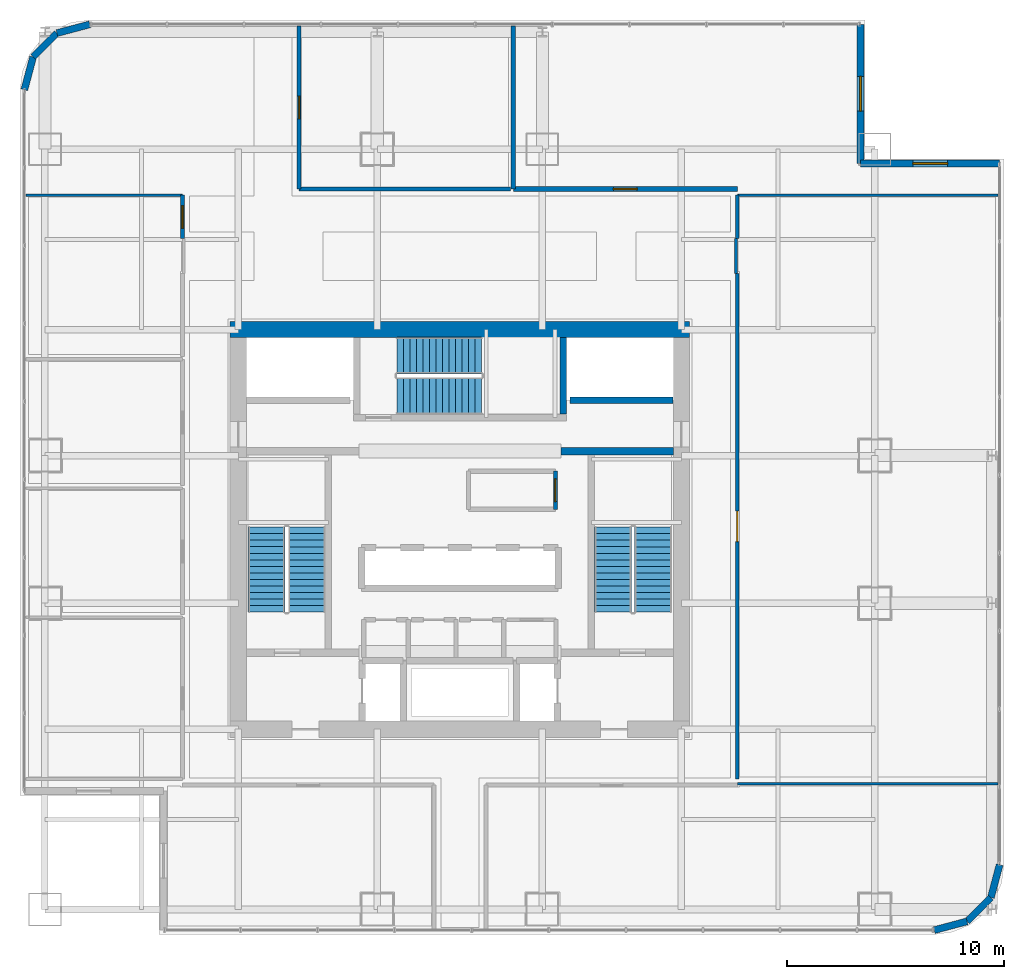
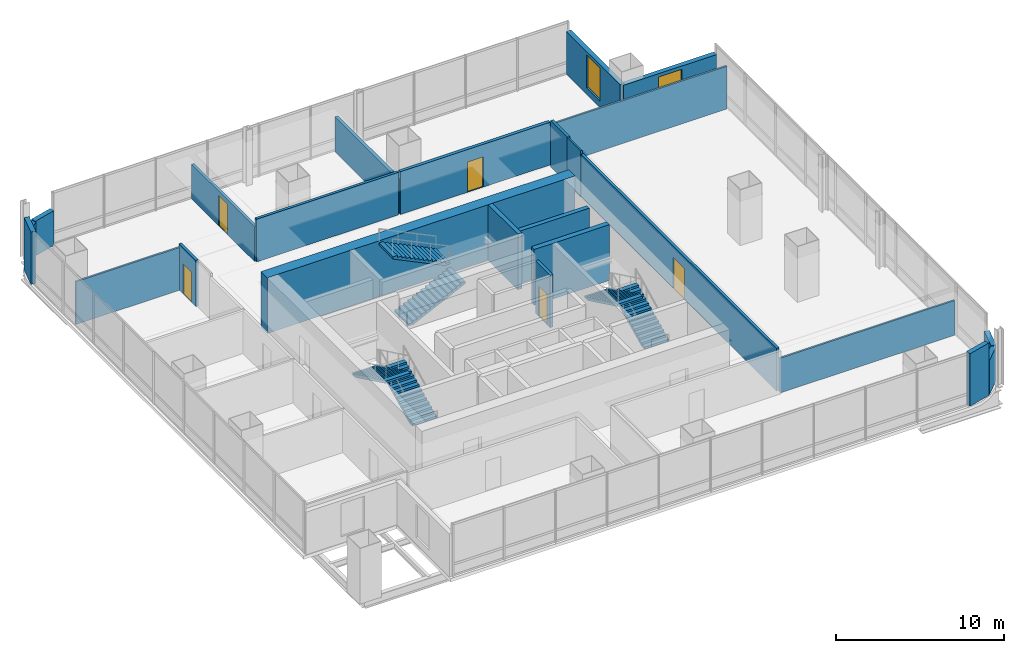
# One storey, part 29 of 34: 24 walls, 6 stair flights, 5 doors, 2 windows, 7 openings, 3 elements without a shape of their own.
"""IFC4 building model written with IfcOpenShell, lengths in metres."""

from ifc_helpers import new_model, si_unit, direction, frame, frame_2d, origin, place, context, subcontext, project, spatial, polyline, rectangle, outline, extrude, material, layer, layer_set, type_object, element, fill, aggregate, save


model = new_model("IFC4")

# Units and contexts
model_context = context("Model", 3, precision=1e-05, world=origin(), true_north=direction((0.0, 1.0)))
body_context = subcontext(model_context, "Body", "Model", "MODEL_VIEW")
ifc_project = project(units=[si_unit("LENGTHUNIT", "METRE"), si_unit("AREAUNIT", "SQUARE_METRE"), si_unit("VOLUMEUNIT", "CUBIC_METRE"), si_unit("PLANEANGLEUNIT", "RADIAN"), si_unit("MASSUNIT", "GRAM", prefix="KILO")], contexts=[model_context])

# Site, building, storey
site_placement = place(None, origin())
site = spatial("IfcSite", under=ifc_project, at=site_placement, CompositionType="ELEMENT")
building_placement = place(site_placement, origin())
building = spatial("IfcBuilding", under=site, at=building_placement, Name="Punatoya Terracotta Tower", CompositionType="ELEMENT")
storey_placement = place(building_placement, frame((0.0, 0.0, 117.300048828125)))
storey = spatial("IfcBuildingStorey", under=building, at=storey_placement, Name="L27", CompositionType="ELEMENT", Elevation=117.300048828125)

# Wall
ifc_material_1 = material(Name="Concrete C60/75", Category="concrete")
ifc_layer_1 = layer(ifc_material_1, 0.75)
ifc_layer_set_1 = layer_set([ifc_layer_1], Name="Concrete C60/75")
wall_type_1 = type_object("IfcWallType", Name="WL-COR-750", PredefinedType="SHEAR", material=ifc_layer_set_1)
wall_1_placement = place(storey_placement, frame((-10.574951171875, 9.199951171875, 0.0), z_axis=(0.0, 0.0, 1.0), x_axis=(1.0, 0.0, 0.0)))
element("IfcWall", 1, at=wall_1_placement, inside=storey, type_object=wall_type_1, Name="L27 Core Shear Wall N", PredefinedType="SHEAR", context=body_context, shape_type="SweptSolid", body=[
    extrude(rectangle(XDim=21.14990234375, YDim=0.75, at=frame_2d((10.574951171875, 0.0))), origin(), (0.0, 0.0, 1.0), 4.050048828125),
])

# Wall, opening, door
ifc_material_2 = material(Name="Gypsum Fireboard + Steel Stud", Category="steel")
ifc_layer_2 = layer(ifc_material_2, 0.179931640625)
ifc_layer_set_2 = layer_set([ifc_layer_2], Name="Gypsum Fireboard + Steel Stud")
wall_type_2 = type_object("IfcWallType", Name="WL-CORR-180", PredefinedType="PARTITIONING", material=ifc_layer_set_2)
wall_2_placement = place(storey_placement, frame((12.77001953125, -11.489990234375, 0.0), z_axis=(0.0, 0.0, 1.0), x_axis=(0.0, 1.0, 0.0)))
wall_2 = element("IfcWall", 2, at=wall_2_placement, inside=storey, type_object=wall_type_2, Name="L27 Technical Seminar Room Partition 24", PredefinedType="PARTITIONING", context=body_context, shape_type="SweptSolid", body=[
    extrude(rectangle(XDim=23.260009765625, YDim=0.179931640625, at=frame_2d((11.6298828125, 0.0))), origin(), (0.0, 0.0, 1.0), 3.10400390625),
])
opening_1_placement = place(wall_2_placement, frame((10.929931640625, 0.0, 0.0)))
opening_1 = element("IfcOpeningElement", 3, at=opening_1_placement, cuts=wall_2, Name="Opening BD-01", PredefinedType="OPENING", context=body_context, shape_type="SweptSolid", body=[
    extrude(rectangle(XDim=1.39990234375, YDim=2.25, at=frame_2d((0.699951171875, 1.125))), frame((0.0, 0.099853515625, 0.0), z_axis=(0.0, -1.0, 0.0), x_axis=(1.0, 0.0, 0.0)), (0.0, 0.0, 1.0), 0.199951171875),
])
ifc_material_3 = material(Name="Bengal Teak Acoustic Leaf")
door_type_1 = type_object("IfcDoorType", Name="DR-BRD-1400", OperationType="NOTDEFINED", PredefinedType="DOOR", material=ifc_material_3)
door_1_placement = place(opening_1_placement, origin())
door_1 = element("IfcDoor", 4, at=door_1_placement, inside=storey, type_object=door_type_1, Name="L27 Technical Seminar Room Door", OperationType="SINGLE_SWING_LEFT", OverallHeight=2.25, OverallWidth=1.39990234375, PredefinedType="DOOR", context=body_context, shape_type="SweptSolid", body=[
    extrude(rectangle(XDim=1.39990234375, YDim=2.25, at=frame_2d((0.699951171875, 1.125))), frame((0.0, 0.02490234375, 0.0), z_axis=(0.0, -1.0, 0.0), x_axis=(1.0, 0.0, 0.0)), (0.0, 0.0, 1.0), 0.050048828125),
])
fill(opening_1, door_1)

# Wall
wall_3_placement = place(storey_placement, frame((12.77001953125, 13.3798828125, 0.0), z_axis=(0.0, 0.0, 1.0), x_axis=(0.0, 1.0, 0.0)))
element("IfcWall", 5, at=wall_3_placement, inside=storey, type_object=wall_type_2, Name="L27 Technical Seminar Room Partition 26", PredefinedType="PARTITIONING", context=body_context, shape_type="SweptSolid", body=[
    extrude(rectangle(XDim=2.010009765625, YDim=0.179931640625, at=frame_2d((1.0048828125, 0.0))), origin(), (0.0, 0.0, 1.0), 3.35400390625),
])

# Wall, opening, door
wall_4_placement = place(storey_placement, frame((-12.77001953125, 15.389892578125, 0.0), z_axis=(0.0, 0.0, 1.0), x_axis=(0.0, -1.0, 0.0)))
wall_4 = element("IfcWall", 6, at=wall_4_placement, inside=storey, type_object=wall_type_2, Name="L27 Wellness Rest Room Partition 31", PredefinedType="PARTITIONING", context=body_context, shape_type="SweptSolid", body=[
    extrude(rectangle(XDim=2.010009765625, YDim=0.179931640625, at=frame_2d((1.0048828125, 0.0))), origin(), (0.0, 0.0, 1.0), 3.35400390625),
])
opening_2_placement = place(wall_4_placement, frame((0.47998046875, 0.0, 0.0)))
opening_2 = element("IfcOpeningElement", 7, at=opening_2_placement, cuts=wall_4, Name="Opening OD-01", PredefinedType="OPENING", context=body_context, shape_type="SweptSolid", body=[
    extrude(rectangle(XDim=1.050048828125, YDim=2.199951171875, at=frame_2d((0.52490234375, 1.10009765625))), frame((0.0, 0.099853515625, 0.0), z_axis=(0.0, -1.0, 0.0), x_axis=(1.0, 0.0, 0.0)), (0.0, 0.0, 1.0), 0.199951171875),
])
ifc_material_4 = material(Name="Bengal Teak Solid-Core Leaf")
door_type_2 = type_object("IfcDoorType", Name="DR-OFF-1050", OperationType="NOTDEFINED", PredefinedType="DOOR", material=ifc_material_4)
door_2_placement = place(opening_2_placement, origin())
door_2 = element("IfcDoor", 8, at=door_2_placement, inside=storey, type_object=door_type_2, Name="L27 Wellness Rest Room Door", OperationType="SINGLE_SWING_LEFT", OverallHeight=2.199951171875, OverallWidth=1.050048828125, PredefinedType="DOOR", context=body_context, shape_type="SweptSolid", body=[
    extrude(rectangle(XDim=1.050048828125, YDim=2.199951171875, at=frame_2d((0.52490234375, 1.10009765625))), frame((0.0, 0.02490234375, 0.0), z_axis=(0.0, -1.0, 0.0), x_axis=(1.0, 0.0, 0.0)), (0.0, 0.0, 1.0), 0.050048828125),
])
fill(opening_2, door_2)

wall_5_placement = place(storey_placement, frame((-7.39990234375, 15.669921875, 0.0), z_axis=(0.0, 0.0, 1.0), x_axis=(0.0, 1.0, 0.0)))
wall_5 = element("IfcWall", 9, at=wall_5_placement, inside=storey, type_object=wall_type_2, Name="L27 Open-Plan Hydrology Modelling Laboratory Partition 36", PredefinedType="PARTITIONING", context=body_context, shape_type="SweptSolid", body=[
    extrude(rectangle(XDim=7.5, YDim=0.179931640625, at=frame_2d((3.75, 0.0))), origin(), (0.0, 0.0, 1.0), 2.52392578125),
])
opening_3_placement = place(wall_5_placement, frame((3.22509765625, 0.0, 0.0)))
opening_3 = element("IfcOpeningElement", 10, at=opening_3_placement, cuts=wall_5, Name="Opening OD-01", PredefinedType="OPENING", context=body_context, shape_type="SweptSolid", body=[
    extrude(rectangle(XDim=1.050048828125, YDim=2.199951171875, at=frame_2d((0.52490234375, 1.10009765625))), frame((0.0, 0.099853515625, 0.0), z_axis=(0.0, -1.0, 0.0), x_axis=(1.0, 0.0, 0.0)), (0.0, 0.0, 1.0), 0.199951171875),
])
door_3_placement = place(opening_3_placement, origin())
door_3 = element("IfcDoor", 11, at=door_3_placement, inside=storey, type_object=door_type_2, Name="L27 Open-Plan Hydrology Modelling Laboratory Door", OperationType="SINGLE_SWING_LEFT", OverallHeight=2.199951171875, OverallWidth=1.050048828125, PredefinedType="DOOR", context=body_context, shape_type="SweptSolid", body=[
    extrude(rectangle(XDim=1.050048828125, YDim=2.199951171875, at=frame_2d((0.52490234375, 1.10009765625))), frame((0.0, 0.02490234375, 0.0), z_axis=(0.0, -1.0, 0.0), x_axis=(1.0, 0.0, 0.0)), (0.0, 0.0, 1.0), 0.050048828125),
])
fill(opening_3, door_3)

# Walls
wall_6_placement = place(storey_placement, frame((2.340087890625, 15.669921875, 0.0), z_axis=(0.0, 0.0, 1.0), x_axis=(-1.0, 0.0, 0.0)))
element("IfcWall", 12, at=wall_6_placement, inside=storey, type_object=wall_type_2, Name="L27 Open-Plan Hydrology Modelling Laboratory Partition 37", PredefinedType="PARTITIONING", context=body_context, shape_type="SweptSolid", body=[
    extrude(rectangle(XDim=9.739990234375, YDim=0.179931640625, at=frame_2d((4.8701171875, 0.0))), origin(), (0.0, 0.0, 1.0), 3.10400390625),
])
ifc_material_5 = material(Name="Precast concrete C40/50", Category="concrete")
ifc_layer_3 = layer(ifc_material_5, 0.320068359375)
ifc_layer_set_3 = layer_set([ifc_layer_3], Name="Precast concrete C40/50")
wall_type_3 = type_object("IfcWallType", Name="WL-EXT-320", PredefinedType="SOLIDWALL", material=ifc_layer_set_3)
wall_7_placement = place(storey_placement, frame((21.8369140625, -18.449951171875, 0.0), z_axis=(0.0, 0.0, 1.0), x_axis=(0.966224582397, 0.257701486942, 0.0)))
element("IfcWall", 13, at=wall_7_placement, inside=storey, type_object=wall_type_3, Name="L27 Rounded Terracotta Corner Pier 02", PredefinedType="SOLIDWALL", context=body_context, shape_type="SweptSolid", body=[
    extrude(rectangle(XDim=1.565185546875, YDim=0.320068359375, at=frame_2d((0.78271484375, 0.0))), origin(), (0.0, 0.0, 1.0), 3.81005859375),
])
wall_8_placement = place(storey_placement, frame((23.34912109375, -18.046630859375, 0.0), z_axis=(0.0, 0.0, 1.0), x_axis=(0.707106781187, 0.707106781187, 0.0)))
element("IfcWall", 14, at=wall_8_placement, inside=storey, type_object=wall_type_3, Name="L27 Rounded Terracotta Corner Pier 03", PredefinedType="SOLIDWALL", context=body_context, shape_type="SweptSolid", body=[
    extrude(rectangle(XDim=1.552001953125, YDim=0.320068359375, at=frame_2d((0.77587890625, 0.0))), origin(), (0.0, 0.0, 1.0), 2.48388671875),
])
wall_9_placement = place(storey_placement, frame((24.446533203125, -16.94921875, 0.0), z_axis=(0.0, 0.0, 1.0), x_axis=(0.257847112249, 0.966185730957, 0.0)))
element("IfcWall", 15, at=wall_9_placement, inside=storey, type_object=wall_type_3, Name="L27 Rounded Terracotta Corner Pier 04", PredefinedType="SOLIDWALL", context=body_context, shape_type="SweptSolid", body=[
    extrude(rectangle(XDim=1.565185546875, YDim=0.320068359375, at=frame_2d((0.78271484375, 0.0))), origin(), (0.0, 0.0, 1.0), 2.52392578125),
])

# Wall, opening, window
wall_10_placement = place(storey_placement, frame((24.85009765625, 16.85009765625, 0.0), z_axis=(0.0, 0.0, 1.0), x_axis=(-1.0, 0.0, 0.0)))
wall_10 = element("IfcWall", 16, at=wall_10_placement, inside=storey, type_object=wall_type_3, Name="L27 Recessed Corner-Slot Terracotta Wall 06", PredefinedType="SOLIDWALL", context=body_context, shape_type="SweptSolid", body=[
    extrude(rectangle(XDim=6.400146484375, YDim=0.320068359375, at=frame_2d((3.2001953125, 0.0))), origin(), (0.0, 0.0, 1.0), 3.10400390625),
])
opening_4_placement = place(wall_10_placement, frame((2.39990234375, 0.0, 0.464111328125)))
opening_4 = element("IfcOpeningElement", 17, at=opening_4_placement, cuts=wall_10, Name="Opening WN-03", PredefinedType="OPENING", context=body_context, shape_type="SweptSolid", body=[
    extrude(rectangle(XDim=1.60009765625, YDim=2.39990234375, at=frame_2d((0.800048828125, 1.199951171875))), frame((0.0, 0.169921875, 0.0), z_axis=(0.0, -1.0, 0.0), x_axis=(1.0, 0.0, 0.0)), (0.0, 0.0, 1.0), 0.340087890625),
])
ifc_material_6 = material(Name="Aluminium 6063-T6 + Double Low-E Glass", Category="aluminium")
window_type = type_object("IfcWindowType", Name="WIN-OFF-1600", PartitioningType="SINGLE_PANEL", PredefinedType="WINDOW", material=ifc_material_6)
window_1_placement = place(opening_4_placement, origin())
window_1 = element("IfcWindow", 18, at=window_1_placement, inside=storey, type_object=window_type, Name="L27 Corner-Slot Punched Window 06", OverallHeight=2.39990234375, OverallWidth=1.60009765625, PartitioningType="SINGLE_PANEL", PredefinedType="WINDOW", context=body_context, shape_type="SweptSolid", body=[
    extrude(rectangle(XDim=1.60009765625, YDim=2.39990234375, at=frame_2d((0.800048828125, 1.199951171875))), frame((0.0, 0.030029296875, 0.0), z_axis=(0.0, -1.0, 0.0), x_axis=(1.0, 0.0, 0.0)), (0.0, 0.0, 1.0), 0.06005859375),
])
fill(opening_4, window_1)

wall_11_placement = place(storey_placement, frame((18.449951171875, 16.85009765625, 0.0), z_axis=(0.0, 0.0, 1.0), x_axis=(0.0, 1.0, 0.0)))
wall_11 = element("IfcWall", 19, at=wall_11_placement, inside=storey, type_object=wall_type_3, Name="L27 Recessed Corner-Slot Terracotta Wall 07", PredefinedType="SOLIDWALL", context=body_context, shape_type="SweptSolid", body=[
    extrude(rectangle(XDim=6.39990234375, YDim=0.320068359375, at=frame_2d((3.199951171875, 0.0))), origin(), (0.0, 0.0, 1.0), 3.10400390625),
])
opening_5_placement = place(wall_11_placement, frame((2.39990234375, 0.0, 0.464111328125)))
opening_5 = element("IfcOpeningElement", 20, at=opening_5_placement, cuts=wall_11, Name="Opening WN-03", PredefinedType="OPENING", context=body_context, shape_type="SweptSolid", body=[
    extrude(rectangle(XDim=1.60009765625, YDim=2.39990234375, at=frame_2d((0.800048828125, 1.199951171875))), frame((0.0, 0.169921875, 0.0), z_axis=(0.0, -1.0, 0.0), x_axis=(1.0, 0.0, 0.0)), (0.0, 0.0, 1.0), 0.340087890625),
])
window_2_placement = place(opening_5_placement, origin())
window_2 = element("IfcWindow", 21, at=window_2_placement, inside=storey, type_object=window_type, Name="L27 Corner-Slot Punched Window 07", OverallHeight=2.39990234375, OverallWidth=1.60009765625, PartitioningType="SINGLE_PANEL", PredefinedType="WINDOW", context=body_context, shape_type="SweptSolid", body=[
    extrude(rectangle(XDim=1.60009765625, YDim=2.39990234375, at=frame_2d((0.800048828125, 1.199951171875))), frame((0.0, 0.030029296875, 0.0), z_axis=(0.0, -1.0, 0.0), x_axis=(1.0, 0.0, 0.0)), (0.0, 0.0, 1.0), 0.06005859375),
])
fill(opening_5, window_2)

# Walls
wall_12_placement = place(storey_placement, frame((-17.036865234375, 23.25, 0.0), z_axis=(0.0, 0.0, 1.0), x_axis=(-0.966224582397, -0.257701486942, 0.0)))
element("IfcWall", 22, at=wall_12_placement, inside=storey, type_object=wall_type_3, Name="L27 Rounded Terracotta Corner Pier 09", PredefinedType="SOLIDWALL", context=body_context, shape_type="SweptSolid", body=[
    extrude(rectangle(XDim=1.565185546875, YDim=0.320068359375, at=frame_2d((0.78271484375, 0.0))), origin(), (0.0, 0.0, 1.0), 2.52392578125),
])
wall_13_placement = place(storey_placement, frame((-18.549072265625, 22.8466796875, 0.0), z_axis=(0.0, 0.0, 1.0), x_axis=(-0.707028130747, -0.707185422879, 0.0)))
element("IfcWall", 23, at=wall_13_placement, inside=storey, type_object=wall_type_3, Name="L27 Rounded Terracotta Corner Pier 10", PredefinedType="SOLIDWALL", context=body_context, shape_type="SweptSolid", body=[
    extrude(rectangle(XDim=1.55224609375, YDim=0.320068359375, at=frame_2d((0.776123046875, 0.0))), origin(), (0.0, 0.0, 1.0), 2.48388671875),
])
wall_14_placement = place(storey_placement, frame((-19.646484375, 21.7490234375, 0.0), z_axis=(0.0, 0.0, 1.0), x_axis=(-0.257847112249, -0.966185730957, 0.0)))
element("IfcWall", 24, at=wall_14_placement, inside=storey, type_object=wall_type_3, Name="L27 Rounded Terracotta Corner Pier 11", PredefinedType="SOLIDWALL", context=body_context, shape_type="SweptSolid", body=[
    extrude(rectangle(XDim=1.565185546875, YDim=0.320068359375, at=frame_2d((0.78271484375, 0.0))), origin(), (0.0, 0.0, 1.0), 3.81005859375),
])
ifc_material_7 = material(Name="Concrete C40/50", Category="concrete")
ifc_layer_4 = layer(ifc_material_7, 0.219970703125)
ifc_layer_set_4 = layer_set([ifc_layer_4], Name="Concrete C40/50")
wall_type_4 = type_object("IfcWallType", Name="WL-FIR-220", PredefinedType="SOLIDWALL", material=ifc_layer_set_4)
wall_15_placement = place(storey_placement, frame((2.4599609375, 15.669921875, 0.0), z_axis=(0.0, 0.0, 1.0), x_axis=(0.0, 1.0, 0.0)))
element("IfcWall", 25, at=wall_15_placement, inside=storey, type_object=wall_type_4, Name="L27 Open-Plan Geospatial Data Archive Partition 34", PredefinedType="SOLIDWALL", context=body_context, shape_type="SweptSolid", body=[
    extrude(rectangle(XDim=7.5, YDim=0.219970703125, at=frame_2d((3.75, 0.0))), origin(), (0.0, 0.0, 1.0), 2.52392578125),
])

# Wall, opening, door
wall_16_placement = place(storey_placement, frame((12.77001953125, 15.669921875, 0.0), z_axis=(0.0, 0.0, 1.0), x_axis=(-1.0, 0.0, 0.0)))
wall_16 = element("IfcWall", 26, at=wall_16_placement, inside=storey, type_object=wall_type_4, Name="L27 Open-Plan Geospatial Data Archive Partition 35", PredefinedType="SOLIDWALL", context=body_context, shape_type="SweptSolid", body=[
    extrude(rectangle(XDim=10.31005859375, YDim=0.219970703125, at=frame_2d((5.155029296875, 0.0))), origin(), (0.0, 0.0, 1.0), 3.10400390625),
])
opening_6_placement = place(wall_16_placement, frame((4.60498046875, 0.0, 0.0)))
opening_6 = element("IfcOpeningElement", 27, at=opening_6_placement, cuts=wall_16, Name="Opening FD-P1", PredefinedType="OPENING", context=body_context, shape_type="SweptSolid", body=[
    extrude(rectangle(XDim=1.10009765625, YDim=2.199951171875, at=frame_2d((0.550048828125, 1.10009765625))), frame((0.0, 0.119873046875, 0.0), z_axis=(0.0, -1.0, 0.0), x_axis=(1.0, 0.0, 0.0)), (0.0, 0.0, 1.0), 0.239990234375),
])
ifc_material_8 = material(Name="Galvanised Steel Plant Fire Door", Category="steel")
door_type_3 = type_object("IfcDoorType", Name="DR-PLT-1100", OperationType="NOTDEFINED", PredefinedType="DOOR", material=ifc_material_8)
door_4_placement = place(opening_6_placement, origin())
door_4 = element("IfcDoor", 28, at=door_4_placement, inside=storey, type_object=door_type_3, Name="L27 Open-Plan Geospatial Data Archive Fire Door", OperationType="SINGLE_SWING_RIGHT", OverallHeight=2.199951171875, OverallWidth=1.10009765625, PredefinedType="DOOR", context=body_context, shape_type="SweptSolid", body=[
    extrude(rectangle(XDim=1.10009765625, YDim=2.199951171875, at=frame_2d((0.550048828125, 1.10009765625))), frame((0.0, 0.02490234375, 0.0), z_axis=(0.0, -1.0, 0.0), x_axis=(1.0, 0.0, 0.0)), (0.0, 0.0, 1.0), 0.050048828125),
])
fill(opening_6, door_4)

ifc_layer_5 = layer(ifc_material_7, 0.199951171875)
ifc_layer_set_5 = layer_set([ifc_layer_5], Name="Concrete C40/50")
wall_type_5 = type_object("IfcWallType", Name="WL-INT-200", PredefinedType="SOLIDWALL", material=ifc_layer_set_5)
wall_17_placement = place(storey_placement, frame((4.39990234375, 0.919921875, 0.0), z_axis=(0.0, 0.0, 1.0), x_axis=(0.0, 1.0, 0.0)))
wall_17 = element("IfcWall", 29, at=wall_17_placement, inside=storey, type_object=wall_type_5, Name="L27 East Core Tea Pantry Partition 10", PredefinedType="SOLIDWALL", context=body_context, shape_type="SweptSolid", body=[
    extrude(rectangle(XDim=1.760009765625, YDim=0.199951171875, at=frame_2d((0.8798828125, 0.0))), origin(), (0.0, 0.0, 1.0), 3.81005859375),
])
opening_7_placement = place(wall_17_placement, frame((0.35498046875, 0.0, 0.0)))
opening_7 = element("IfcOpeningElement", 30, at=opening_7_placement, cuts=wall_17, Name="Opening OD-01", PredefinedType="OPENING", context=body_context, shape_type="SweptSolid", body=[
    extrude(rectangle(XDim=1.050048828125, YDim=2.199951171875, at=frame_2d((0.52490234375, 1.10009765625))), frame((0.0, 0.10986328125, 0.0), z_axis=(0.0, -1.0, 0.0), x_axis=(1.0, 0.0, 0.0)), (0.0, 0.0, 1.0), 0.219970703125),
])
door_5_placement = place(opening_7_placement, origin())
door_5 = element("IfcDoor", 31, at=door_5_placement, inside=storey, type_object=door_type_2, Name="L27 East Tea Pantry Door", OperationType="SINGLE_SWING_RIGHT", OverallHeight=2.199951171875, OverallWidth=1.050048828125, PredefinedType="DOOR", context=body_context, shape_type="SweptSolid", body=[
    extrude(rectangle(XDim=1.050048828125, YDim=2.199951171875, at=frame_2d((0.52490234375, 1.10009765625))), frame((0.0, 0.02490234375, 0.0), z_axis=(0.0, -1.0, 0.0), x_axis=(1.0, 0.0, 0.0)), (0.0, 0.0, 1.0), 0.050048828125),
])
fill(opening_7, door_5)

# Walls
ifc_material_9 = material(Name="Gypsum Partition + Steel Stud", Category="steel")
ifc_layer_6 = layer(ifc_material_9, 0.1201171875)
ifc_layer_set_6 = layer_set([ifc_layer_6], Name="Gypsum Partition + Steel Stud")
wall_type_6 = type_object("IfcWallType", Name="WL-OFF-120", PredefinedType="PARTITIONING", material=ifc_layer_set_6)
wall_18_placement = place(storey_placement, frame((12.77001953125, -11.7099609375, 0.0), z_axis=(0.0, 0.0, 1.0), x_axis=(1.0, 0.0, 0.0)))
element("IfcWall", 32, at=wall_18_placement, inside=storey, type_object=wall_type_6, Name="L27 Cartography Reference Library Partition 17", PredefinedType="PARTITIONING", context=body_context, shape_type="SweptSolid", body=[
    extrude(rectangle(XDim=12.0, YDim=0.1201171875, at=frame_2d((6.0, 0.0))), origin(), (0.0, 0.0, 1.0), 2.52392578125),
])
wall_19_placement = place(storey_placement, frame((12.7099609375, 11.77001953125, 0.0), z_axis=(0.0, 0.0, 1.0), x_axis=(0.0, 1.0, 0.0)))
element("IfcWall", 33, at=wall_19_placement, inside=storey, type_object=wall_type_6, Name="L27 Technical Seminar Room Partition 25", PredefinedType="PARTITIONING", context=body_context, shape_type="SweptSolid", body=[
    extrude(rectangle(XDim=1.60986328125, YDim=0.1201171875, at=frame_2d((0.804931640625, 0.0))), origin(), (0.0, 0.0, 1.0), 3.35400390625),
])
wall_20_placement = place(storey_placement, frame((12.77001953125, 15.389892578125, 0.0), z_axis=(0.0, 0.0, 1.0), x_axis=(1.0, 0.0, 0.0)))
element("IfcWall", 34, at=wall_20_placement, inside=storey, type_object=wall_type_6, Name="L27 Technical Seminar Room Partition 27", PredefinedType="PARTITIONING", context=body_context, shape_type="SweptSolid", body=[
    extrude(rectangle(XDim=12.0, YDim=0.1201171875, at=frame_2d((6.0, 0.0))), origin(), (0.0, 0.0, 1.0), 3.10400390625),
])
wall_21_placement = place(storey_placement, frame((-19.969970703125, 15.389892578125, 0.0), z_axis=(0.0, 0.0, 1.0), x_axis=(1.0, 0.0, 0.0)))
element("IfcWall", 35, at=wall_21_placement, inside=storey, type_object=wall_type_6, Name="L27 Wellness Rest Room Partition 30", PredefinedType="PARTITIONING", context=body_context, shape_type="SweptSolid", body=[
    extrude(rectangle(XDim=7.199951171875, YDim=0.1201171875, at=frame_2d((3.60009765625, 0.0))), origin(), (0.0, 0.0, 1.0), 3.10400390625),
])
ifc_layer_7 = layer(ifc_material_7, 0.300048828125)
ifc_layer_set_7 = layer_set([ifc_layer_7], Name="Concrete C40/50")
wall_type_7 = type_object("IfcWallType", Name="WL-SHF-300", PredefinedType="SOLIDWALL", material=ifc_layer_set_7)
wall_22_placement = place(storey_placement, frame((4.75, 8.824951171875, 0.0), z_axis=(0.0, 0.0, 1.0), x_axis=(0.0, -1.0, 0.0)))
element("IfcWall", 36, at=wall_22_placement, inside=storey, type_object=wall_type_7, Name="L27 Structural Stair Shaft Wall SW-ST3-E", PredefinedType="SOLIDWALL", context=body_context, shape_type="SweptSolid", body=[
    extrude(rectangle(XDim=3.52490234375, YDim=0.300048828125, at=frame_2d((1.762451171875, 0.0))), origin(), (0.0, 0.0, 1.0), 4.050048828125),
])
wall_23_placement = place(storey_placement, frame((5.06005859375, 5.949951171875, 0.0), z_axis=(0.0, 0.0, 1.0), x_axis=(1.0, 0.0, 0.0)))
element("IfcWall", 37, at=wall_23_placement, inside=storey, type_object=wall_type_7, Name="L27 Shuttle SL-2 South Hoistway Wall", PredefinedType="SOLIDWALL", context=body_context, shape_type="SweptSolid", body=[
    extrude(rectangle(XDim=4.760009765625, YDim=0.300048828125, at=frame_2d((2.3798828125, 0.0))), origin(), (0.0, 0.0, 1.0), 3.81005859375),
])
ifc_material_10 = material(Name="Concrete C50/60", Category="concrete")
ifc_layer_8 = layer(ifc_material_10, 0.35009765625)
ifc_layer_set_8 = layer_set([ifc_layer_8], Name="Concrete C50/60")
wall_type_8 = type_object("IfcWallType", Name="WL-SHF-350", PredefinedType="SOLIDWALL", material=ifc_layer_set_8)
wall_24_placement = place(storey_placement, frame((4.64990234375, 3.60009765625, 0.0), z_axis=(0.0, 0.0, 1.0), x_axis=(1.0, 0.0, 0.0)))
element("IfcWall", 38, at=wall_24_placement, inside=storey, type_object=wall_type_8, Name="L27 Core Web Wall CNW-R", PredefinedType="SOLIDWALL", context=body_context, shape_type="SweptSolid", body=[
    extrude(rectangle(XDim=5.175048828125, YDim=0.35009765625, at=frame_2d((2.58740234375, 0.0))), origin(), (0.0, 0.0, 1.0), 4.050048828125),
])

# Stair, stair flights
stair_type_1 = type_object("IfcStairType", Name="STR-CORE-1550", PredefinedType="HALF_TURN_STAIR", material=ifc_material_7)
stair_1_placement = place(storey_placement, origin())
stair_1 = element("IfcStair", 39, at=stair_1_placement, inside=storey, type_object=stair_type_1, Name="L27 Protected Core Exit Stair ST-1", PredefinedType="HALF_TURN_STAIR")
stair_flight_type_1 = type_object("IfcStairFlightType", Name="SFL-CORE-1550", PredefinedType="STRAIGHT", material=ifc_material_7)
stair_flight_1_placement = place(storey_placement, frame((-7.050048828125, -3.800048828125, 0.0), z_axis=(0.0, 0.0, 1.0), x_axis=(0.0, 1.0, 0.0)))
stair_flight_1 = element("IfcStairFlight", 40, at=stair_flight_1_placement, type_object=stair_flight_type_1, Name="ST-1 flight 1", NumberOfRisers=14, NumberOfTreads=13, PredefinedType="STRAIGHT", RiserHeight=0.144642857, TreadLength=0.3, context=body_context, shape_type="SweptSolid", body=[
    extrude(outline(polyline([(0.0, 0.0), (0.0, 0.14453125), (0.300048828125, 0.14453125), (0.300048828125, 0.289306640625), (0.60009765625, 0.289306640625), (0.60009765625, 0.433837890625), (0.89990234375, 0.433837890625), (0.89990234375, 0.57861328125), (1.199951171875, 0.57861328125), (1.199951171875, 0.72314453125), (1.5, 0.72314453125), (1.5, 0.867919921875), (1.800048828125, 0.867919921875), (1.800048828125, 1.012451171875), (2.10009765625, 1.012451171875), (2.10009765625, 1.1572265625), (2.39990234375, 1.1572265625), (2.39990234375, 1.3017578125), (2.699951171875, 1.3017578125), (2.699951171875, 1.446533203125), (3.0, 1.446533203125), (3.0, 1.591064453125), (3.300048828125, 1.591064453125), (3.300048828125, 1.735595703125), (3.60009765625, 1.735595703125), (3.60009765625, 1.88037109375), (3.89990234375, 1.88037109375), (3.89990234375, 2.02490234375), (3.89990234375, 1.7138671875), (0.34521484375, 0.0), (0.0, 0.0)])), frame((0.0, 0.85009765625, 0.0), z_axis=(0.0, -1.0, 0.0), x_axis=(1.0, 0.0, 0.0)), (0.0, 0.0, 1.0), 1.699951171875),
])
stair_flight_2_placement = place(storey_placement, frame((-8.89990234375, 0.10009765625, 2.02490234375), z_axis=(0.0, 0.0, 1.0), x_axis=(0.0, -1.0, 0.0)))
stair_flight_2 = element("IfcStairFlight", 41, at=stair_flight_2_placement, type_object=stair_flight_type_1, Name="ST-1 flight 2", NumberOfRisers=14, NumberOfTreads=13, PredefinedType="STRAIGHT", RiserHeight=0.144642857, TreadLength=0.3, context=body_context, shape_type="SweptSolid", body=[
    extrude(outline(polyline([(0.0, 0.0), (0.0, 0.14453125), (0.300048828125, 0.14453125), (0.300048828125, 0.289306640625), (0.60009765625, 0.289306640625), (0.60009765625, 0.433837890625), (0.89990234375, 0.433837890625), (0.89990234375, 0.57861328125), (1.199951171875, 0.57861328125), (1.199951171875, 0.72314453125), (1.5, 0.72314453125), (1.5, 0.867919921875), (1.800048828125, 0.867919921875), (1.800048828125, 1.012451171875), (2.10009765625, 1.012451171875), (2.10009765625, 1.1572265625), (2.39990234375, 1.1572265625), (2.39990234375, 1.3017578125), (2.699951171875, 1.3017578125), (2.699951171875, 1.446533203125), (3.0, 1.446533203125), (3.0, 1.591064453125), (3.300048828125, 1.591064453125), (3.300048828125, 1.735595703125), (3.60009765625, 1.735595703125), (3.60009765625, 1.88037109375), (3.89990234375, 1.88037109375), (3.89990234375, 2.02490234375), (3.89990234375, 1.7138671875), (0.34521484375, 0.0), (0.0, 0.0)])), frame((0.0, 0.85009765625, 0.0), z_axis=(0.0, -1.0, 0.0), x_axis=(1.0, 0.0, 0.0)), (0.0, 0.0, 1.0), 1.699951171875),
])
aggregate(stair_1, [stair_flight_1, stair_flight_2])

stair_type_2 = type_object("IfcStairType", Name="STR-LOB-1650", PredefinedType="HALF_TURN_STAIR", material=ifc_material_7)
stair_2_placement = place(storey_placement, origin())
stair_2 = element("IfcStair", 42, at=stair_2_placement, inside=storey, type_object=stair_type_2, Name="L27 Protected Core Exit Stair ST-2", PredefinedType="HALF_TURN_STAIR")
stair_flight_type_2 = type_object("IfcStairFlightType", Name="SFL-LOB-1650", PredefinedType="STRAIGHT", material=ifc_material_7)
stair_flight_3_placement = place(storey_placement, frame((8.89990234375, -3.800048828125, 0.0), z_axis=(0.0, 0.0, 1.0), x_axis=(0.0, 1.0, 0.0)))
stair_flight_3 = element("IfcStairFlight", 43, at=stair_flight_3_placement, type_object=stair_flight_type_2, Name="ST-2 flight 1", NumberOfRisers=14, NumberOfTreads=13, PredefinedType="STRAIGHT", RiserHeight=0.144642857, TreadLength=0.3, context=body_context, shape_type="SweptSolid", body=[
    extrude(outline(polyline([(0.0, 0.0), (0.0, 0.14453125), (0.300048828125, 0.14453125), (0.300048828125, 0.289306640625), (0.60009765625, 0.289306640625), (0.60009765625, 0.433837890625), (0.89990234375, 0.433837890625), (0.89990234375, 0.57861328125), (1.199951171875, 0.57861328125), (1.199951171875, 0.72314453125), (1.5, 0.72314453125), (1.5, 0.867919921875), (1.800048828125, 0.867919921875), (1.800048828125, 1.012451171875), (2.10009765625, 1.012451171875), (2.10009765625, 1.1572265625), (2.39990234375, 1.1572265625), (2.39990234375, 1.3017578125), (2.699951171875, 1.3017578125), (2.699951171875, 1.446533203125), (3.0, 1.446533203125), (3.0, 1.591064453125), (3.300048828125, 1.591064453125), (3.300048828125, 1.735595703125), (3.60009765625, 1.735595703125), (3.60009765625, 1.88037109375), (3.89990234375, 1.88037109375), (3.89990234375, 2.02490234375), (3.89990234375, 1.7138671875), (0.34521484375, 0.0), (0.0, 0.0)])), frame((0.0, 0.85009765625, 0.0), z_axis=(0.0, -1.0, 0.0), x_axis=(1.0, 0.0, 0.0)), (0.0, 0.0, 1.0), 1.699951171875),
])
stair_flight_4_placement = place(storey_placement, frame((7.050048828125, 0.10009765625, 2.02490234375), z_axis=(0.0, 0.0, 1.0), x_axis=(0.0, -1.0, 0.0)))
stair_flight_4 = element("IfcStairFlight", 44, at=stair_flight_4_placement, type_object=stair_flight_type_2, Name="ST-2 flight 2", NumberOfRisers=14, NumberOfTreads=13, PredefinedType="STRAIGHT", RiserHeight=0.144642857, TreadLength=0.3, context=body_context, shape_type="SweptSolid", body=[
    extrude(outline(polyline([(0.0, 0.0), (0.0, 0.14453125), (0.300048828125, 0.14453125), (0.300048828125, 0.289306640625), (0.60009765625, 0.289306640625), (0.60009765625, 0.433837890625), (0.89990234375, 0.433837890625), (0.89990234375, 0.57861328125), (1.199951171875, 0.57861328125), (1.199951171875, 0.72314453125), (1.5, 0.72314453125), (1.5, 0.867919921875), (1.800048828125, 0.867919921875), (1.800048828125, 1.012451171875), (2.10009765625, 1.012451171875), (2.10009765625, 1.1572265625), (2.39990234375, 1.1572265625), (2.39990234375, 1.3017578125), (2.699951171875, 1.3017578125), (2.699951171875, 1.446533203125), (3.0, 1.446533203125), (3.0, 1.591064453125), (3.300048828125, 1.591064453125), (3.300048828125, 1.735595703125), (3.60009765625, 1.735595703125), (3.60009765625, 1.88037109375), (3.89990234375, 1.88037109375), (3.89990234375, 2.02490234375), (3.89990234375, 1.7138671875), (0.34521484375, 0.0), (0.0, 0.0)])), frame((0.0, 0.85009765625, 0.0), z_axis=(0.0, -1.0, 0.0), x_axis=(1.0, 0.0, 0.0)), (0.0, 0.0, 1.0), 1.699951171875),
])
aggregate(stair_2, [stair_flight_3, stair_flight_4])

stair_type_3 = type_object("IfcStairType", Name="STR-TER-1450", PredefinedType="HALF_TURN_STAIR", material=ifc_material_7)
stair_3_placement = place(storey_placement, origin())
stair_3 = element("IfcStair", 45, at=stair_3_placement, inside=storey, type_object=stair_type_3, Name="L27 Protected Core Exit Stair ST-3", PredefinedType="HALF_TURN_STAIR")
stair_flight_type_3 = type_object("IfcStairFlightType", Name="SFL-TER-1450", PredefinedType="STRAIGHT", material=ifc_material_7)
stair_flight_5_placement = place(storey_placement, frame((-2.89990234375, 6.14990234375, 0.0), z_axis=(0.0, 0.0, 1.0), x_axis=(1.0, 0.0, 0.0)))
stair_flight_5 = element("IfcStairFlight", 46, at=stair_flight_5_placement, type_object=stair_flight_type_3, Name="ST-3 flight 1", NumberOfRisers=14, NumberOfTreads=13, PredefinedType="STRAIGHT", RiserHeight=0.144642857, TreadLength=0.3, context=body_context, shape_type="SweptSolid", body=[
    extrude(outline(polyline([(0.0, 0.0), (0.0, 0.14453125), (0.300048828125, 0.14453125), (0.300048828125, 0.289306640625), (0.60009765625, 0.289306640625), (0.60009765625, 0.433837890625), (0.89990234375, 0.433837890625), (0.89990234375, 0.57861328125), (1.199951171875, 0.57861328125), (1.199951171875, 0.72314453125), (1.5, 0.72314453125), (1.5, 0.867919921875), (1.800048828125, 0.867919921875), (1.800048828125, 1.012451171875), (2.10009765625, 1.012451171875), (2.10009765625, 1.1572265625), (2.39990234375, 1.1572265625), (2.39990234375, 1.3017578125), (2.699951171875, 1.3017578125), (2.699951171875, 1.446533203125), (3.0, 1.446533203125), (3.0, 1.591064453125), (3.300048828125, 1.591064453125), (3.300048828125, 1.735595703125), (3.60009765625, 1.735595703125), (3.60009765625, 1.88037109375), (3.89990234375, 1.88037109375), (3.89990234375, 2.02490234375), (3.89990234375, 1.7138671875), (0.34521484375, 0.0), (0.0, 0.0)])), frame((0.0, 0.85009765625, 0.0), z_axis=(0.0, -1.0, 0.0), x_axis=(1.0, 0.0, 0.0)), (0.0, 0.0, 1.0), 1.699951171875),
])
stair_flight_6_placement = place(storey_placement, frame((1.0, 8.0, 2.02490234375), z_axis=(0.0, 0.0, 1.0), x_axis=(-1.0, 0.0, 0.0)))
stair_flight_6 = element("IfcStairFlight", 47, at=stair_flight_6_placement, type_object=stair_flight_type_3, Name="ST-3 flight 2", NumberOfRisers=14, NumberOfTreads=13, PredefinedType="STRAIGHT", RiserHeight=0.144642857, TreadLength=0.3, context=body_context, shape_type="SweptSolid", body=[
    extrude(outline(polyline([(0.0, 0.0), (0.0, 0.14453125), (0.300048828125, 0.14453125), (0.300048828125, 0.289306640625), (0.60009765625, 0.289306640625), (0.60009765625, 0.433837890625), (0.89990234375, 0.433837890625), (0.89990234375, 0.57861328125), (1.199951171875, 0.57861328125), (1.199951171875, 0.72314453125), (1.5, 0.72314453125), (1.5, 0.867919921875), (1.800048828125, 0.867919921875), (1.800048828125, 1.012451171875), (2.10009765625, 1.012451171875), (2.10009765625, 1.1572265625), (2.39990234375, 1.1572265625), (2.39990234375, 1.3017578125), (2.699951171875, 1.3017578125), (2.699951171875, 1.446533203125), (3.0, 1.446533203125), (3.0, 1.591064453125), (3.300048828125, 1.591064453125), (3.300048828125, 1.735595703125), (3.60009765625, 1.735595703125), (3.60009765625, 1.88037109375), (3.89990234375, 1.88037109375), (3.89990234375, 2.02490234375), (3.89990234375, 1.7138671875), (0.34521484375, 0.0), (0.0, 0.0)])), frame((0.0, 0.85009765625, 0.0), z_axis=(0.0, -1.0, 0.0), x_axis=(1.0, 0.0, 0.0)), (0.0, 0.0, 1.0), 1.699951171875),
])
aggregate(stair_3, [stair_flight_5, stair_flight_6])

save(model, "model.ifc")
